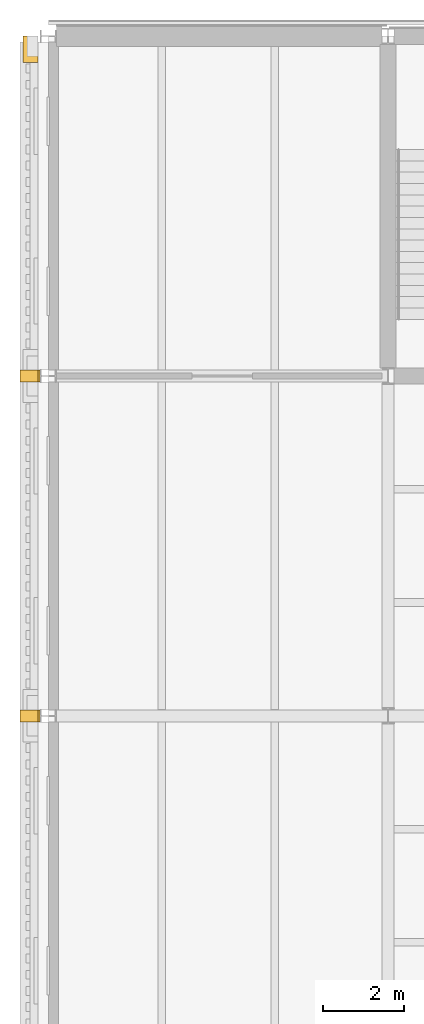
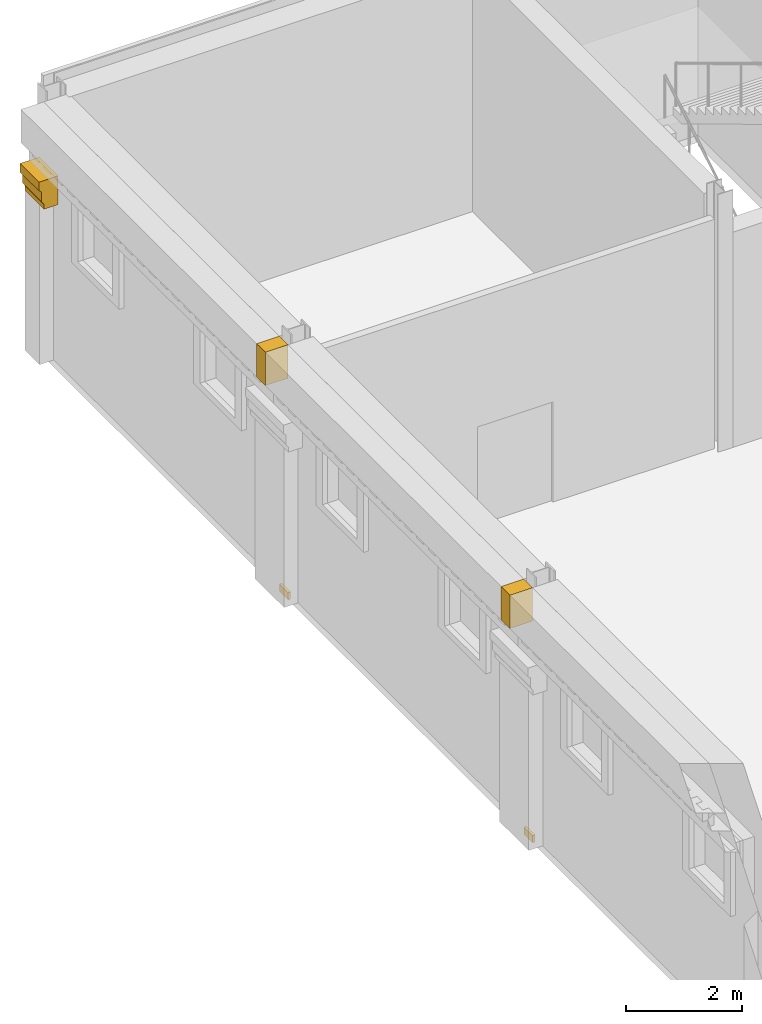
# One storey, part 55 of 57: 5 coverings.
"""IFC4 building model written with IfcOpenShell, lengths in metres."""

from ifc_helpers import new_model, si_unit, direction, frame, origin, origin_2d, place, context, subcontext, project, spatial, polyline, rectangle, outline, extrude, material, layer, layer_set, type_object, element, save


model = new_model("IFC4")

# Units and contexts
model_context = context("Model", 3, precision=1e-05, world=origin(), true_north=direction((0.0, 1.0)))
body_context = subcontext(model_context, "Body", "Model", "MODEL_VIEW")
ifc_project = project(units=[si_unit("LENGTHUNIT", "METRE"), si_unit("AREAUNIT", "SQUARE_METRE"), si_unit("VOLUMEUNIT", "CUBIC_METRE"), si_unit("PLANEANGLEUNIT", "RADIAN"), si_unit("MASSUNIT", "GRAM", prefix="KILO")], contexts=[model_context])

# Site, building, storey
site_placement = place(None, origin())
site = spatial("IfcSite", under=ifc_project, at=site_placement, CompositionType="ELEMENT")
building_placement = place(site_placement, origin())
building = spatial("IfcBuilding", under=site, at=building_placement, Name="Galleria Vessillo Department Store", CompositionType="ELEMENT")
storey_placement = place(building_placement, frame((0.0, 0.0, 25.800048828125)))
storey = spatial("IfcBuildingStorey", under=building, at=storey_placement, Name="L05", CompositionType="ELEMENT", Elevation=25.800048828125)

# Coverings
ifc_material_1 = material(Name="Botticino limestone ashlar", Category="masonry")
ifc_layer_1 = layer(ifc_material_1, 0.449951171875)
ifc_layer_set_1 = layer_set([ifc_layer_1], Name="Botticino limestone ashlar")
covering_type_1 = type_object("IfcCoveringType", Name="Limestone cornice 450 x 700", PredefinedType="MOLDING", material=ifc_layer_set_1)
for number, where, z_axis, x_axis, name in (
    (1, (-0.47509765625, 46.199951171875, 4.5), (0.0, 0.0, 1.0), (1.0, 0.0, 0.0), "Joint block Cornice SW-L05-05"),
    (2, (-0.47509765625, 54.60009765625, 4.5), (0.0, 0.0, 1.0), (1.0, 0.0, 0.0), "Joint block Cornice SW-L05-06"),
):
    element("IfcCovering", number, at=place(storey_placement, frame(where, z_axis=z_axis, x_axis=x_axis)), inside=storey, type_object=covering_type_1, Name=name, PredefinedType="MOLDING", context=body_context, shape_type="SweptSolid", body=[
        extrude(rectangle(XDim=0.449951171875, YDim=0.300048828125, at=origin_2d()), origin(), (0.0, 0.0, 1.0), 0.699951171875),
    ])
ifc_material_2 = material(Name="Botticino limestone ashlar", Category="masonry")
ifc_layer_2 = layer(ifc_material_2, 0.3798828125)
ifc_layer_set_2 = layer_set([ifc_layer_2], Name="Botticino limestone ashlar")
covering_type_2 = type_object("IfcCoveringType", Name="Limestone pilaster capital 1300 x 380 x 600", PredefinedType="MOLDING", material=ifc_layer_set_2)
covering_placement = place(storey_placement, frame((0.0, 62.35009765625, 3.349853515625), z_axis=(0.0, 1.0, 0.0), x_axis=(-1.0, 0.0, 0.0)))
element("IfcCovering", 3, at=covering_placement, inside=storey, type_object=covering_type_2, Name="Pilaster capital W y=63.0", PredefinedType="MOLDING", context=body_context, shape_type="SweptSolid", body=[
    extrude(outline(polyline([(0.25, 0.0), (0.530029296875, 0.0), (0.530029296875, 0.10009765625), (0.580078125, 0.179931640625), (0.580078125, 0.3798828125), (0.6298828125, 0.419921875), (0.6298828125, 0.60009765625), (0.25, 0.60009765625), (0.25, 0.0)])), origin(), (0.0, 0.0, 1.0), 0.64990234375),
])
ifc_material_3 = material(Name="Botticino limestone ashlar", Category="masonry")
ifc_layer_3 = layer(ifc_material_3, 0.14990234375)
ifc_layer_set_3 = layer_set([ifc_layer_3], Name="Botticino limestone ashlar")
covering_type_3 = type_object("IfcCoveringType", Name="Limestone slab-edge fascia 150 mm", PredefinedType="CLADDING", material=ifc_layer_set_3)
for number, where, z_axis, x_axis, name in (
    (4, (-0.22509765625, 46.199951171875, -0.14990234375), (0.0, 0.0, 1.0), (1.0, 0.0, 0.0), "Joint block Slab-edge fascia SW-L04-05"),
    (5, (-0.22509765625, 54.60009765625, -0.14990234375), (0.0, 0.0, 1.0), (1.0, 0.0, 0.0), "Joint block Slab-edge fascia SW-L04-06"),
):
    element("IfcCovering", number, at=place(storey_placement, frame(where, z_axis=z_axis, x_axis=x_axis)), inside=storey, type_object=covering_type_3, Name=name, PredefinedType="CLADDING", context=body_context, shape_type="SweptSolid", body=[
        extrude(rectangle(XDim=0.050048828125, YDim=0.300048828125, at=origin_2d()), origin(), (0.0, 0.0, 1.0), 0.14990234375),
    ])

save(model, "model.ifc")
